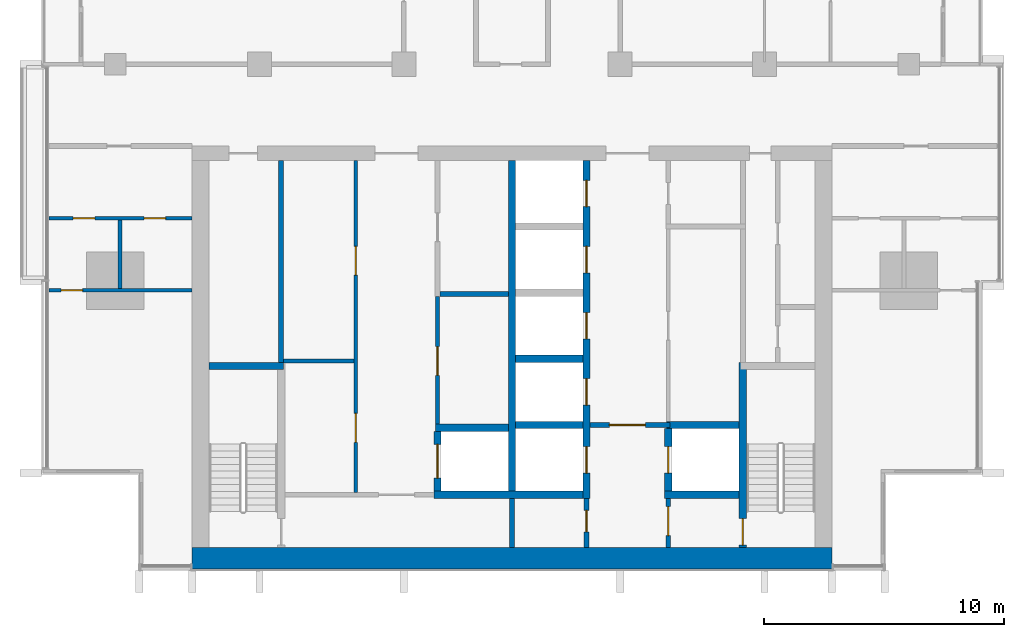
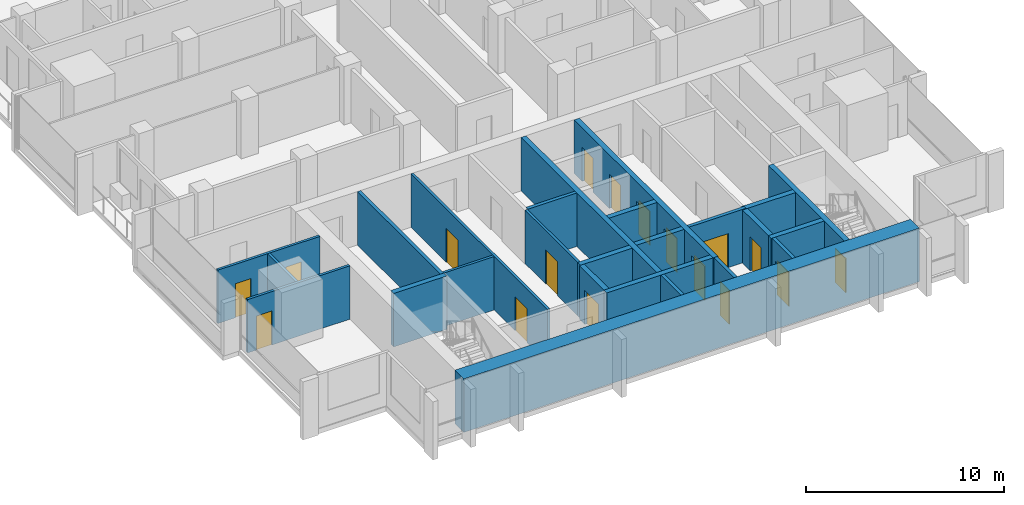
# One storey, part 7 of 17: 25 walls, 17 doors, 17 openings.
"""IFC4 building model written with IfcOpenShell, lengths in metres."""

import ifcopenshell
import ifcopenshell.guid

model = None  # the IFC model being written
_history = None  # IfcOwnerHistory: only IFC2X3 demands one
_inside = {}  # id of a spatial element -> (the spatial element, [elements in it])
_under = {}  # id of a project, library or spatial element -> (it, [spatial elements below it])
_declared = {}  # id of a project -> (the project, [libraries it declares])
_typed = {}  # id of a type object -> (the type object, [elements of that type])
_made_of = {}  # id of a material, layer set ... -> (it, [elements and type objects made of it])


def new_model(schema):
    """Start an empty IFC model of exactly this schema.

    Asked for "IFC4X3", IfcOpenShell would pick the latest addendum, in which some entities
    have other attributes; the version numbers below select the first issue.
    IFC2X3 requires an IfcOwnerHistory on every rooted entity: one is made here for all.
    """
    global model, _history
    if schema == "IFC4X3":
        model = ifcopenshell.file(schema_version=(4, 3, 0, 0))
    else:
        model = ifcopenshell.file(schema=schema)
    _inside.clear()
    _under.clear()
    _declared.clear()
    _typed.clear()
    _made_of.clear()
    _history = None
    if model.schema == "IFC2X3":
        org = make("IfcOrganization", Name="unknown")
        user = make(
            "IfcPersonAndOrganization",
            ThePerson=make("IfcPerson", FamilyName="unknown"),
            TheOrganization=org,
        )
        app = make(
            "IfcApplication",
            ApplicationDeveloper=org,
            Version="unknown",
            ApplicationFullName="unknown",
            ApplicationIdentifier="unknown",
        )
        _history = make(
            "IfcOwnerHistory",
            OwningUser=user,
            OwningApplication=app,
            ChangeAction="ADDED",
            CreationDate=0,
        )
    return model


def make(cls, **values):
    """One entity of the class cls with the attributes given. An attribute that is None is left unset."""
    return model.create_entity(
        cls, **{name: value for name, value in values.items() if value is not None}
    )


def rooted(cls, **values):
    """An entity with a GlobalId (a new one), such as an element, a storey or a relation."""
    return make(cls, GlobalId=ifcopenshell.guid.new(), OwnerHistory=_history, **values)


def si_unit(unit_type, name, prefix=None):
    """IfcSIUnit, for example si_unit("LENGTHUNIT", "METRE", prefix="MILLI")."""
    return make("IfcSIUnit", UnitType=unit_type, Prefix=prefix, Name=name)


def assignment(units):
    """IfcUnitAssignment: the units of a project."""
    return None if units is None else make("IfcUnitAssignment", Units=units)


def point(xyz):
    """IfcCartesianPoint."""
    return None if xyz is None else make("IfcCartesianPoint", Coordinates=xyz)


def direction(xyz):
    """IfcDirection."""
    return None if xyz is None else make("IfcDirection", DirectionRatios=xyz)


def frame(location, z_axis=None, x_axis=None):
    """IfcAxis2Placement3D, a coordinate frame: its origin and axes. An axis left out is left unset."""
    return make(
        "IfcAxis2Placement3D",
        Location=point(location),
        Axis=direction(z_axis),
        RefDirection=direction(x_axis),
    )


def frame_2d(location, x_axis=None):
    """IfcAxis2Placement2D, a coordinate frame in the plane: its origin and x axis."""
    return make(
        "IfcAxis2Placement2D", Location=point(location), RefDirection=direction(x_axis)
    )


def origin():
    """The frame at (0, 0, 0) with its axes left unset."""
    return frame((0.0, 0.0, 0.0))


def place(relative_to, where):
    """IfcLocalPlacement: puts the frame where relative to a parent placement (None: the world)."""
    return make(
        "IfcLocalPlacement", PlacementRelTo=relative_to, RelativePlacement=where
    )


def context(
    kind, dimensions, precision=None, world=None, true_north=None, identifier=None
):
    """IfcGeometricRepresentationContext, for example the 3D "Model" context."""
    return make(
        "IfcGeometricRepresentationContext",
        ContextIdentifier=identifier,
        ContextType=kind,
        CoordinateSpaceDimension=dimensions,
        Precision=precision,
        WorldCoordinateSystem=world,
        TrueNorth=true_north,
    )


def subcontext(parent, identifier, kind, view, scale=None):
    """IfcGeometricRepresentationSubContext, for example "Body" below "Model"."""
    return make(
        "IfcGeometricRepresentationSubContext",
        ContextIdentifier=identifier,
        ContextType=kind,
        ParentContext=parent,
        TargetScale=scale,
        TargetView=view,
    )


def project(units=None, contexts=None):
    """IfcProject with its units and contexts."""
    return rooted(
        "IfcProject",
        Name="project",
        RepresentationContexts=contexts,
        UnitsInContext=assignment(units),
    )


def spatial(cls, under=None, at=None, **own):
    """A site, building, storey or space (cls), placed at a placement, below another one or the project."""
    s = rooted(cls, ObjectPlacement=at, **own)
    if under is not None:
        _under.setdefault(under.id(), (under, []))[1].append(s)
    return s


def profile(cls, at=None, kind="AREA", **sizes):
    """A parametric profile (cls). Its sizes go by their IFC names, for example OverallWidth=200.0."""
    return make(cls, ProfileType=kind, Position=at, **sizes)


def rectangle(**sizes):
    """IfcRectangleProfileDef."""
    return profile("IfcRectangleProfileDef", **sizes)


def extrude(swept, where, along, depth):
    """IfcExtrudedAreaSolid: the profile swept, set in the frame where, extruded along a direction by depth."""
    return make(
        "IfcExtrudedAreaSolid",
        SweptArea=swept,
        Position=where,
        ExtrudedDirection=direction(along),
        Depth=depth,
    )


def shape(context_of_items, identifier, shape_type, items):
    """IfcShapeRepresentation: the items that make up one representation, for example the "Body"."""
    return make(
        "IfcShapeRepresentation",
        ContextOfItems=context_of_items,
        RepresentationIdentifier=identifier,
        RepresentationType=shape_type,
        Items=items,
    )


def material(Name=None, Category=None):
    """IfcMaterial."""
    return make("IfcMaterial", Name=Name, Category=Category)


def layer(
    of_material, thickness, ventilated=None, Name=None, Category=None, Priority=None
):
    """IfcMaterialLayer: one layer of a wall or slab, of a material (None: an air gap)."""
    return make(
        "IfcMaterialLayer",
        Material=of_material,
        LayerThickness=thickness,
        IsVentilated=ventilated,
        Name=Name,
        Category=Category,
        Priority=Priority,
    )


def layer_set(layers, Name=None):
    """IfcMaterialLayerSet."""
    return make("IfcMaterialLayerSet", MaterialLayers=layers, LayerSetName=Name)


def made_of(thing, what):
    """Note that an element or type object is made of a material, layer set ...; save() writes the relation."""
    if what is not None:
        _made_of.setdefault(what.id(), (what, []))[1].append(thing)
    return thing


def type_object(cls, material=None, **own):
    """A type object (cls), such as IfcWallType, which elements share."""
    return made_of(rooted(cls, **own), material)


def element(
    cls,
    number,
    at=None,
    inside=None,
    cuts=None,
    type_object=None,
    material=None,
    context=None,
    identifier="Body",
    shape_type=None,
    held_by="IfcProductDefinitionShape",
    body=None,
    shapes=None,
    **own,
):
    """One element of the class cls, such as IfcWall. Its Tag is "e" and its number.

    at: its placement. inside: the storey or other place that contains it. cuts: it is an
    opening in that element (IfcRelVoidsElement). A single representation is given by context,
    identifier, shape_type and body (its items); several are given by shapes. held_by: the class
    of the entity that holds the representations. save() writes the other relations.
    """
    e = rooted(cls, Tag="e%d" % number, ObjectPlacement=at, **own)
    if body is not None:
        shapes = [shape(context, identifier, shape_type, body)]
    if shapes is not None:
        e.Representation = make(held_by, Representations=shapes)
    if inside is not None:
        _inside.setdefault(inside.id(), (inside, []))[1].append(e)
    if cuts is not None:
        rooted(
            "IfcRelVoidsElement", RelatingBuildingElement=cuts, RelatedOpeningElement=e
        )
    if type_object is not None:
        _typed.setdefault(type_object.id(), (type_object, []))[1].append(e)
    return made_of(e, material)


def fill(opening, filler):
    """IfcRelFillsElement: the door or window that sits in an opening."""
    return rooted(
        "IfcRelFillsElement",
        RelatingOpeningElement=opening,
        RelatedBuildingElement=filler,
    )


def aggregate(whole, parts):
    """IfcRelAggregates: a whole, such as a stair, and the parts it consists of."""
    return rooted("IfcRelAggregates", RelatingObject=whole, RelatedObjects=parts)


def save(model, path):
    """Write the relations noted so far, then the file.

    IfcRelAggregates (storeys below a building ...), IfcRelContainedInSpatialStructure (elements
    in a storey), IfcRelDefinesByType, IfcRelAssociatesMaterial and IfcRelDeclares: one each for
    every whole, place, type object, material and project.
    """
    for whole, parts in _under.values():
        aggregate(whole, parts)
    for where, things in _inside.values():
        rooted(
            "IfcRelContainedInSpatialStructure",
            RelatedElements=things,
            RelatingStructure=where,
        )
    for kind, things in _typed.values():
        rooted("IfcRelDefinesByType", RelatedObjects=things, RelatingType=kind)
    for what, things in _made_of.values():
        rooted("IfcRelAssociatesMaterial", RelatedObjects=things, RelatingMaterial=what)
    for by, libraries in _declared.values():
        rooted("IfcRelDeclares", RelatingContext=by, RelatedDefinitions=libraries)
    model.write(path)


model = new_model("IFC4")

# Units and contexts
model_context = context("Model", 3, precision=1e-05, world=origin(), true_north=direction((0.0, 1.0)))
body_context = subcontext(model_context, "Body", "Model", "MODEL_VIEW")
ifc_project = project(units=[si_unit("LENGTHUNIT", "METRE"), si_unit("AREAUNIT", "SQUARE_METRE"), si_unit("VOLUMEUNIT", "CUBIC_METRE"), si_unit("PLANEANGLEUNIT", "RADIAN"), si_unit("MASSUNIT", "GRAM", prefix="KILO")], contexts=[model_context])

# Site, building, storey
site_placement = place(None, origin())
site = spatial("IfcSite", under=ifc_project, at=site_placement, CompositionType="ELEMENT")
building_placement = place(site_placement, origin())
building = spatial("IfcBuilding", under=site, at=building_placement, Name="Finial Court Residences", CompositionType="ELEMENT")
storey_placement = place(building_placement, frame((0.0, 0.0, 152.89990234375)))
storey = spatial("IfcBuildingStorey", under=building, at=storey_placement, Name="L37", CompositionType="ELEMENT", Elevation=152.89990234375)

# Wall
ifc_material_1 = material(Name="Fire-rated gypsum board partition")
ifc_layer_1 = layer(ifc_material_1, 0.14990234375)
ifc_layer_set_1 = layer_set([ifc_layer_1], Name="Core room partition 150 EI 60")
wall_type_1 = type_object("IfcWallType", Name="Core room partition 150 EI 60", PredefinedType="PARTITIONING", material=ifc_layer_set_1)
wall_1_placement = place(storey_placement, frame((-9.5, -16.840087890625, 0.0), z_axis=(0.0, 0.0, 1.0), x_axis=(1.0, 0.0, 0.0)))
element("IfcWall", 1, at=wall_1_placement, inside=storey, type_object=wall_type_1, Name="Core partition L37-10", PredefinedType="PARTITIONING", context=body_context, shape_type="SweptSolid", body=[
    extrude(rectangle(XDim=2.925048828125, YDim=0.14990234375, at=frame_2d((1.46240234375, 0.0))), origin(), (0.0, 0.0, 1.0), 3.300048828125),
])

# Wall, openings, doors
wall_2_placement = place(storey_placement, frame((-6.5, -22.300048828125, 0.0), z_axis=(0.0, 0.0, 1.0), x_axis=(0.0, 1.0, 0.0)))
wall_2 = element("IfcWall", 2, at=wall_2_placement, inside=storey, type_object=wall_type_1, Name="Core partition L37-19", PredefinedType="PARTITIONING", context=body_context, shape_type="SweptSolid", body=[
    extrude(rectangle(XDim=13.800048828125, YDim=0.14990234375, at=frame_2d((6.89990234375, 0.0))), origin(), (0.0, 0.0, 1.0), 3.300048828125),
])
opening_1_placement = place(wall_2_placement, frame((2.080078125, 0.0, 0.0)))
opening_1 = element("IfcOpeningElement", 3, at=opening_1_placement, cuts=wall_2, Name="Opening L37-C13", PredefinedType="OPENING", context=body_context, shape_type="SweptSolid", body=[
    extrude(rectangle(XDim=1.199951171875, YDim=2.10009765625, at=frame_2d((0.60009765625, 1.050048828125))), frame((0.0, 0.0849609375, 0.0), z_axis=(0.0, -1.0, 0.0), x_axis=(1.0, 0.0, 0.0)), (0.0, 0.0, 1.0), 0.169921875),
])
opening_2_placement = place(wall_2_placement, frame((9.030029296875, 0.0, 0.0)))
opening_2 = element("IfcOpeningElement", 4, at=opening_2_placement, cuts=wall_2, Name="Opening L37-C14", PredefinedType="OPENING", context=body_context, shape_type="SweptSolid", body=[
    extrude(rectangle(XDim=1.199951171875, YDim=2.10009765625, at=frame_2d((0.60009765625, 1.050048828125))), frame((0.0, 0.0849609375, 0.0), z_axis=(0.0, -1.0, 0.0), x_axis=(1.0, 0.0, 0.0)), (0.0, 0.0, 1.0), 0.169921875),
])
ifc_material_2 = material(Name="Steel fire door", Category="steel")
door_type_1 = type_object("IfcDoorType", Name="Core room door 1200 x 2100 EI 60", OperationType="NOTDEFINED", PredefinedType="DOOR", material=ifc_material_2)
door_1_placement = place(opening_1_placement, origin())
door_1 = element("IfcDoor", 5, at=door_1_placement, inside=storey, type_object=door_type_1, Name="Core room door L37-C13", OperationType="SINGLE_SWING_LEFT", OverallHeight=2.10009765625, OverallWidth=1.199951171875, PredefinedType="DOOR", context=body_context, shape_type="SweptSolid", body=[
    extrude(rectangle(XDim=1.199951171875, YDim=2.10009765625, at=frame_2d((0.60009765625, 1.050048828125))), frame((0.0, 0.02490234375, 0.0), z_axis=(0.0, -1.0, 0.0), x_axis=(1.0, 0.0, 0.0)), (0.0, 0.0, 1.0), 0.050048828125),
])
fill(opening_1, door_1)
door_2_placement = place(opening_2_placement, origin())
door_2 = element("IfcDoor", 6, at=door_2_placement, inside=storey, type_object=door_type_1, Name="Core room door L37-C14", OperationType="SINGLE_SWING_LEFT", OverallHeight=2.10009765625, OverallWidth=1.199951171875, PredefinedType="DOOR", context=body_context, shape_type="SweptSolid", body=[
    extrude(rectangle(XDim=1.199951171875, YDim=2.10009765625, at=frame_2d((0.60009765625, 1.050048828125))), frame((0.0, 0.02490234375, 0.0), z_axis=(0.0, -1.0, 0.0), x_axis=(1.0, 0.0, 0.0)), (0.0, 0.0, 1.0), 0.050048828125),
])
fill(opening_2, door_2)

# Wall, opening, door
wall_3_placement = place(storey_placement, frame((-3.10009765625, -14.159912109375, 0.0), z_axis=(0.0, 0.0, 1.0), x_axis=(0.0, -1.0, 0.0)))
wall_3 = element("IfcWall", 7, at=wall_3_placement, inside=storey, type_object=wall_type_1, Name="Core partition L37-21", PredefinedType="PARTITIONING", context=body_context, shape_type="SweptSolid", body=[
    extrude(rectangle(XDim=5.31005859375, YDim=0.14990234375, at=frame_2d((2.655029296875, 0.0))), origin(), (0.0, 0.0, 1.0), 3.300048828125),
])
opening_3_placement = place(wall_3_placement, frame((2.080078125, 0.0, 0.0)))
opening_3 = element("IfcOpeningElement", 8, at=opening_3_placement, cuts=wall_3, Name="Opening L37-C15", PredefinedType="OPENING", context=body_context, shape_type="SweptSolid", body=[
    extrude(rectangle(XDim=1.199951171875, YDim=2.10009765625, at=frame_2d((0.60009765625, 1.050048828125))), frame((0.0, 0.0849609375, 0.0), z_axis=(0.0, -1.0, 0.0), x_axis=(1.0, 0.0, 0.0)), (0.0, 0.0, 1.0), 0.169921875),
])
door_3_placement = place(opening_3_placement, origin())
door_3 = element("IfcDoor", 9, at=door_3_placement, inside=storey, type_object=door_type_1, Name="Core room door L37-C15", OperationType="SINGLE_SWING_LEFT", OverallHeight=2.10009765625, OverallWidth=1.199951171875, PredefinedType="DOOR", context=body_context, shape_type="SweptSolid", body=[
    extrude(rectangle(XDim=1.199951171875, YDim=2.10009765625, at=frame_2d((0.60009765625, 1.050048828125))), frame((0.0, 0.02490234375, 0.0), z_axis=(0.0, -1.0, 0.0), x_axis=(1.0, 0.0, 0.0)), (0.0, 0.0, 1.0), 0.050048828125),
])
fill(opening_3, door_3)

# Wall
ifc_material_3 = material(Name="Concrete C70/85", Category="concrete")
ifc_layer_2 = layer(ifc_material_3, 0.89990234375)
ifc_layer_set_2 = layer_set([ifc_layer_2], Name="Core south facade wall 900 Concrete C70/85")
wall_type_2 = type_object("IfcWallType", Name="Core south facade wall 900 Concrete C70/85", PredefinedType="SHEAR", material=ifc_layer_set_2)
wall_4_placement = place(storey_placement, frame((-13.300048828125, -25.050048828125, 0.0), z_axis=(0.0, 0.0, 1.0), x_axis=(1.0, 0.0, 0.0)))
element("IfcWall", 10, at=wall_4_placement, inside=storey, type_object=wall_type_2, Name="Core outer wall L37-01", PredefinedType="SHEAR", context=body_context, shape_type="SweptSolid", body=[
    extrude(rectangle(XDim=26.60009765625, YDim=0.89990234375, at=frame_2d((13.300048828125, 0.0))), origin(), (0.0, 0.0, 1.0), 3.300048828125),
])

# Wall, opening, door
ifc_layer_3 = layer(ifc_material_1, 0.199951171875)
ifc_layer_set_3 = layer_set([ifc_layer_3], Name="Firefighting lobby wall 200 EI 120")
wall_type_3 = type_object("IfcWallType", Name="Firefighting lobby wall 200 EI 120", PredefinedType="PARTITIONING", material=ifc_layer_set_3)
wall_5_placement = place(storey_placement, frame((6.574951171875, -19.5, 0.0), z_axis=(0.0, 0.0, 1.0), x_axis=(-1.0, 0.0, 0.0)))
wall_5 = element("IfcWall", 11, at=wall_5_placement, inside=storey, type_object=wall_type_3, Name="Core partition L37-06", PredefinedType="PARTITIONING", context=body_context, shape_type="SweptSolid", body=[
    extrude(rectangle(XDim=3.324951171875, YDim=0.199951171875, at=frame_2d((1.66259765625, 0.0))), origin(), (0.0, 0.0, 1.0), 3.300048828125),
])
opening_4_placement = place(wall_5_placement, frame((1.02490234375, 0.0, 0.0)))
opening_4 = element("IfcOpeningElement", 12, at=opening_4_placement, cuts=wall_5, Name="Opening L37-C02", PredefinedType="OPENING", context=body_context, shape_type="SweptSolid", body=[
    extrude(rectangle(XDim=1.5, YDim=2.10009765625, at=frame_2d((0.75, 1.050048828125))), frame((0.0, 0.10986328125, 0.0), z_axis=(0.0, -1.0, 0.0), x_axis=(1.0, 0.0, 0.0)), (0.0, 0.0, 1.0), 0.219970703125),
])
door_type_2 = type_object("IfcDoorType", Name="Firefighting lobby door 1500 x 2100 EI 90", OperationType="DOUBLE_DOOR_SINGLE_SWING", PredefinedType="DOOR", material=ifc_material_2)
door_4_placement = place(opening_4_placement, origin())
door_4 = element("IfcDoor", 13, at=door_4_placement, inside=storey, type_object=door_type_2, Name="Firefighting lobby door L37-C02", OperationType="DOUBLE_DOOR_SINGLE_SWING", OverallHeight=2.10009765625, OverallWidth=1.5, PredefinedType="DOOR", context=body_context, shape_type="SweptSolid", body=[
    extrude(rectangle(XDim=1.5, YDim=2.10009765625, at=frame_2d((0.75, 1.050048828125))), frame((0.0, 0.02490234375, 0.0), z_axis=(0.0, -1.0, 0.0), x_axis=(1.0, 0.0, 0.0)), (0.0, 0.0, 1.0), 0.050048828125),
])
fill(opening_4, door_4)

wall_6_placement = place(storey_placement, frame((3.10009765625, -24.60009765625, 0.0), z_axis=(0.0, 0.0, 1.0), x_axis=(0.0, 1.0, 0.0)))
wall_6 = element("IfcWall", 14, at=wall_6_placement, inside=storey, type_object=wall_type_3, Name="Core partition L37-25", PredefinedType="PARTITIONING", context=body_context, shape_type="SweptSolid", body=[
    extrude(rectangle(XDim=2.050048828125, YDim=0.199951171875, at=frame_2d((1.02490234375, 0.0))), origin(), (0.0, 0.0, 1.0), 3.300048828125),
])
opening_5_placement = place(wall_6_placement, frame((0.64990234375, 0.0, 0.0)))
opening_5 = element("IfcOpeningElement", 15, at=opening_5_placement, cuts=wall_6, Name="Opening L37-C06", PredefinedType="OPENING", context=body_context, shape_type="SweptSolid", body=[
    extrude(rectangle(XDim=0.89990234375, YDim=2.10009765625, at=frame_2d((0.449951171875, 1.050048828125))), frame((0.0, 0.10986328125, 0.0), z_axis=(0.0, -1.0, 0.0), x_axis=(1.0, 0.0, 0.0)), (0.0, 0.0, 1.0), 0.219970703125),
])
door_type_3 = type_object("IfcDoorType", Name="Riser room door 900 x 2100 EI 90", OperationType="NOTDEFINED", PredefinedType="DOOR", material=ifc_material_2)
door_5_placement = place(opening_5_placement, origin())
door_5 = element("IfcDoor", 16, at=door_5_placement, inside=storey, type_object=door_type_3, Name="Riser room door L37-C06", OperationType="SINGLE_SWING_LEFT", OverallHeight=2.10009765625, OverallWidth=0.89990234375, PredefinedType="DOOR", context=body_context, shape_type="SweptSolid", body=[
    extrude(rectangle(XDim=0.89990234375, YDim=2.10009765625, at=frame_2d((0.449951171875, 1.050048828125))), frame((0.0, 0.02490234375, 0.0), z_axis=(0.0, -1.0, 0.0), x_axis=(1.0, 0.0, 0.0)), (0.0, 0.0, 1.0), 0.050048828125),
])
fill(opening_5, door_5)

wall_7_placement = place(storey_placement, frame((6.5, -22.550048828125, 0.0), z_axis=(0.0, 0.0, 1.0), x_axis=(0.0, -1.0, 0.0)))
wall_7 = element("IfcWall", 17, at=wall_7_placement, inside=storey, type_object=wall_type_3, Name="Core partition L37-27", PredefinedType="PARTITIONING", context=body_context, shape_type="SweptSolid", body=[
    extrude(rectangle(XDim=2.050048828125, YDim=0.199951171875, at=frame_2d((1.02490234375, 0.0))), origin(), (0.0, 0.0, 1.0), 3.300048828125),
])
opening_6_placement = place(wall_7_placement, frame((0.35009765625, 0.0, 0.0)))
opening_6 = element("IfcOpeningElement", 18, at=opening_6_placement, cuts=wall_7, Name="Opening L37-C01", PredefinedType="OPENING", context=body_context, shape_type="SweptSolid", body=[
    extrude(rectangle(XDim=1.199951171875, YDim=2.10009765625, at=frame_2d((0.60009765625, 1.050048828125))), frame((0.0, 0.10986328125, 0.0), z_axis=(0.0, -1.0, 0.0), x_axis=(1.0, 0.0, 0.0)), (0.0, 0.0, 1.0), 0.219970703125),
])
door_type_4 = type_object("IfcDoorType", Name="Firefighting lobby door 1200 x 2100 EI 90", OperationType="NOTDEFINED", PredefinedType="DOOR", material=ifc_material_2)
door_6_placement = place(opening_6_placement, origin())
door_6 = element("IfcDoor", 19, at=door_6_placement, inside=storey, type_object=door_type_4, Name="Firefighting lobby door L37-C01", OperationType="SINGLE_SWING_RIGHT", OverallHeight=2.10009765625, OverallWidth=1.199951171875, PredefinedType="DOOR", context=body_context, shape_type="SweptSolid", body=[
    extrude(rectangle(XDim=1.199951171875, YDim=2.10009765625, at=frame_2d((0.60009765625, 1.050048828125))), frame((0.0, 0.02490234375, 0.0), z_axis=(0.0, -1.0, 0.0), x_axis=(1.0, 0.0, 0.0)), (0.0, 0.0, 1.0), 0.050048828125),
])
fill(opening_6, door_6)

ifc_material_4 = material(Name="Moisture-resistant gypsum board")
ifc_layer_4 = layer(ifc_material_4, 0.012451171875)
ifc_material_5 = material(Name="Mineral wool in light-gauge frame")
ifc_layer_5 = layer(ifc_material_5, 0.125)
ifc_layer_6 = layer(ifc_material_4, 0.012451171875)
ifc_layer_set_4 = layer_set([ifc_layer_4, ifc_layer_5, ifc_layer_6], Name="Gypsum board wet-area partition 150")
wall_type_4 = type_object("IfcWallType", Name="Gypsum board wet-area partition 150", PredefinedType="PARTITIONING", material=ifc_layer_set_4)
wall_8_placement = place(storey_placement, frame((-19.262451171875, -13.89990234375, 0.0), z_axis=(0.0, 0.0, 1.0), x_axis=(1.0, 0.0, 0.0)))
wall_8 = element("IfcWall", 20, at=wall_8_placement, inside=storey, type_object=wall_type_4, Name="Partition L37-000", PredefinedType="PARTITIONING", context=body_context, shape_type="SweptSolid", body=[
    extrude(rectangle(XDim=5.96240234375, YDim=0.14990234375, at=frame_2d((2.981201171875, 0.0))), origin(), (0.0, 0.0, 1.0), 3.300048828125),
])
opening_7_placement = place(wall_8_placement, frame((0.511962890625, 0.0, 0.0)))
opening_7 = element("IfcOpeningElement", 21, at=opening_7_placement, cuts=wall_8, Name="Opening L37-D001", PredefinedType="OPENING", context=body_context, shape_type="SweptSolid", body=[
    extrude(rectangle(XDim=0.89990234375, YDim=2.10009765625, at=frame_2d((0.449951171875, 1.050048828125))), frame((0.0, 0.0849609375, 0.0), z_axis=(0.0, -1.0, 0.0), x_axis=(1.0, 0.0, 0.0)), (0.0, 0.0, 1.0), 0.169921875),
])
ifc_material_6 = material(Name="Timber door leaf in timber frame", Category="wood")
door_type_5 = type_object("IfcDoorType", Name="Door set 900 x 2100", OperationType="SINGLE_SWING_LEFT", PredefinedType="DOOR", material=ifc_material_6)
door_7_placement = place(opening_7_placement, origin())
door_7 = element("IfcDoor", 22, at=door_7_placement, inside=storey, type_object=door_type_5, Name="Door L37-D001", OperationType="SINGLE_SWING_LEFT", OverallHeight=2.10009765625, OverallWidth=0.89990234375, PredefinedType="DOOR", context=body_context, shape_type="SweptSolid", body=[
    extrude(rectangle(XDim=0.89990234375, YDim=2.10009765625, at=frame_2d((0.449951171875, 1.050048828125))), frame((0.0, 0.02490234375, 0.0), z_axis=(0.0, -1.0, 0.0), x_axis=(1.0, 0.0, 0.0)), (0.0, 0.0, 1.0), 0.050048828125),
])
fill(opening_7, door_7)

# Wall, openings, doors
wall_9_placement = place(storey_placement, frame((-19.262451171875, -10.89990234375, 0.0), z_axis=(0.0, 0.0, 1.0), x_axis=(1.0, 0.0, 0.0)))
wall_9 = element("IfcWall", 23, at=wall_9_placement, inside=storey, type_object=wall_type_4, Name="Partition L37-002", PredefinedType="PARTITIONING", context=body_context, shape_type="SweptSolid", body=[
    extrude(rectangle(XDim=5.96240234375, YDim=0.14990234375, at=frame_2d((2.981201171875, 0.0))), origin(), (0.0, 0.0, 1.0), 3.300048828125),
])
opening_8_placement = place(wall_9_placement, frame((1.011962890625, 0.0, 0.0)))
opening_8 = element("IfcOpeningElement", 24, at=opening_8_placement, cuts=wall_9, Name="Opening L37-D003", PredefinedType="OPENING", context=body_context, shape_type="SweptSolid", body=[
    extrude(rectangle(XDim=0.89990234375, YDim=2.10009765625, at=frame_2d((0.449951171875, 1.050048828125))), frame((0.0, 0.0849609375, 0.0), z_axis=(0.0, -1.0, 0.0), x_axis=(1.0, 0.0, 0.0)), (0.0, 0.0, 1.0), 0.169921875),
])
opening_9_placement = place(wall_9_placement, frame((3.962890625, 0.0, 0.0)))
opening_9 = element("IfcOpeningElement", 25, at=opening_9_placement, cuts=wall_9, Name="Opening L37-D004", PredefinedType="OPENING", context=body_context, shape_type="SweptSolid", body=[
    extrude(rectangle(XDim=0.89990234375, YDim=2.10009765625, at=frame_2d((0.449951171875, 1.050048828125))), frame((0.0, 0.0849609375, 0.0), z_axis=(0.0, -1.0, 0.0), x_axis=(1.0, 0.0, 0.0)), (0.0, 0.0, 1.0), 0.169921875),
])
door_8_placement = place(opening_8_placement, origin())
door_8 = element("IfcDoor", 26, at=door_8_placement, inside=storey, type_object=door_type_5, Name="Door L37-D003", OperationType="SINGLE_SWING_LEFT", OverallHeight=2.10009765625, OverallWidth=0.89990234375, PredefinedType="DOOR", context=body_context, shape_type="SweptSolid", body=[
    extrude(rectangle(XDim=0.89990234375, YDim=2.10009765625, at=frame_2d((0.449951171875, 1.050048828125))), frame((0.0, 0.02490234375, 0.0), z_axis=(0.0, -1.0, 0.0), x_axis=(1.0, 0.0, 0.0)), (0.0, 0.0, 1.0), 0.050048828125),
])
fill(opening_8, door_8)
door_9_placement = place(opening_9_placement, origin())
door_9 = element("IfcDoor", 27, at=door_9_placement, inside=storey, type_object=door_type_5, Name="Door L37-D004", OperationType="SINGLE_SWING_RIGHT", OverallHeight=2.10009765625, OverallWidth=0.89990234375, PredefinedType="DOOR", context=body_context, shape_type="SweptSolid", body=[
    extrude(rectangle(XDim=0.89990234375, YDim=2.10009765625, at=frame_2d((0.449951171875, 1.050048828125))), frame((0.0, 0.02490234375, 0.0), z_axis=(0.0, -1.0, 0.0), x_axis=(1.0, 0.0, 0.0)), (0.0, 0.0, 1.0), 0.050048828125),
])
fill(opening_9, door_9)

# Walls
wall_10_placement = place(storey_placement, frame((-16.300048828125, -13.824951171875, 0.0), z_axis=(0.0, 0.0, 1.0), x_axis=(0.0, 1.0, 0.0)))
element("IfcWall", 28, at=wall_10_placement, inside=storey, type_object=wall_type_4, Name="Partition L37-034", PredefinedType="PARTITIONING", context=body_context, shape_type="SweptSolid", body=[
    extrude(rectangle(XDim=2.849853515625, YDim=0.14990234375, at=frame_2d((1.4248046875, 0.0))), origin(), (0.0, 0.0, 1.0), 3.300048828125),
])
ifc_layer_7 = layer(ifc_material_3, 0.300048828125)
ifc_layer_set_5 = layer_set([ifc_layer_7], Name="Lift shaft and stair wall 300 Concrete C70/85")
wall_type_5 = type_object("IfcWallType", Name="Lift shaft and stair wall 300 Concrete C70/85", PredefinedType="SHEAR", material=ifc_layer_set_5)
wall_11_placement = place(storey_placement, frame((-3.25, -22.39990234375, 0.0), z_axis=(0.0, 0.0, 1.0), x_axis=(1.0, 0.0, 0.0)))
element("IfcWall", 29, at=wall_11_placement, inside=storey, type_object=wall_type_5, Name="Core wall L37-02", PredefinedType="SHEAR", context=body_context, shape_type="SweptSolid", body=[
    extrude(rectangle(XDim=6.199951171875, YDim=0.300048828125, at=frame_2d((3.10009765625, 0.0))), origin(), (0.0, 0.0, 1.0), 3.300048828125),
])
wall_12_placement = place(storey_placement, frame((6.35009765625, -22.39990234375, 0.0), z_axis=(0.0, 0.0, 1.0), x_axis=(1.0, 0.0, 0.0)))
element("IfcWall", 30, at=wall_12_placement, inside=storey, type_object=wall_type_5, Name="Core wall L37-03", PredefinedType="SHEAR", context=body_context, shape_type="SweptSolid", body=[
    extrude(rectangle(XDim=3.099853515625, YDim=0.300048828125, at=frame_2d((1.5498046875, 0.0))), origin(), (0.0, 0.0, 1.0), 3.300048828125),
])
wall_13_placement = place(storey_placement, frame((-3.175048828125, -19.6201171875, 0.0), z_axis=(0.0, 0.0, 1.0), x_axis=(1.0, 0.0, 0.0)))
element("IfcWall", 31, at=wall_13_placement, inside=storey, type_object=wall_type_5, Name="Core wall L37-04", PredefinedType="SHEAR", context=body_context, shape_type="SweptSolid", body=[
    extrude(rectangle(XDim=3.025146484375, YDim=0.300048828125, at=frame_2d((1.5126953125, 0.0))), origin(), (0.0, 0.0, 1.0), 3.300048828125),
])
wall_14_placement = place(storey_placement, frame((0.14990234375, -19.5, 0.0), z_axis=(0.0, 0.0, 1.0), x_axis=(1.0, 0.0, 0.0)))
element("IfcWall", 32, at=wall_14_placement, inside=storey, type_object=wall_type_5, Name="Core wall L37-05", PredefinedType="SHEAR", context=body_context, shape_type="SweptSolid", body=[
    extrude(rectangle(XDim=2.800048828125, YDim=0.300048828125, at=frame_2d((1.39990234375, 0.0))), origin(), (0.0, 0.0, 1.0), 3.300048828125),
])
wall_15_placement = place(storey_placement, frame((6.425048828125, -19.5, 0.0), z_axis=(0.0, 0.0, 1.0), x_axis=(1.0, 0.0, 0.0)))
element("IfcWall", 33, at=wall_15_placement, inside=storey, type_object=wall_type_5, Name="Core wall L37-07", PredefinedType="SHEAR", context=body_context, shape_type="SweptSolid", body=[
    extrude(rectangle(XDim=3.02490234375, YDim=0.300048828125, at=frame_2d((1.512451171875, 0.0))), origin(), (0.0, 0.0, 1.0), 3.300048828125),
])
wall_16_placement = place(storey_placement, frame((-12.60009765625, -17.050048828125, 0.0), z_axis=(0.0, 0.0, 1.0), x_axis=(1.0, 0.0, 0.0)))
element("IfcWall", 34, at=wall_16_placement, inside=storey, type_object=wall_type_5, Name="Core wall L37-08", PredefinedType="SHEAR", context=body_context, shape_type="SweptSolid", body=[
    extrude(rectangle(XDim=3.10009765625, YDim=0.300048828125, at=frame_2d((1.550048828125, 0.0))), origin(), (0.0, 0.0, 1.0), 3.300048828125),
])
wall_17_placement = place(storey_placement, frame((0.14990234375, -16.75, 0.0), z_axis=(0.0, 0.0, 1.0), x_axis=(1.0, 0.0, 0.0)))
element("IfcWall", 35, at=wall_17_placement, inside=storey, type_object=wall_type_5, Name="Core wall L37-11", PredefinedType="SHEAR", context=body_context, shape_type="SweptSolid", body=[
    extrude(rectangle(XDim=2.800048828125, YDim=0.300048828125, at=frame_2d((1.39990234375, 0.0))), origin(), (0.0, 0.0, 1.0), 3.300048828125),
])

# Wall, opening, door
wall_18_placement = place(storey_placement, frame((-3.10009765625, -22.25, 0.0), z_axis=(0.0, 0.0, 1.0), x_axis=(0.0, 1.0, 0.0)))
wall_18 = element("IfcWall", 36, at=wall_18_placement, inside=storey, type_object=wall_type_5, Name="Core wall L37-20", PredefinedType="SHEAR", context=body_context, shape_type="SweptSolid", body=[
    extrude(rectangle(XDim=2.47998046875, YDim=0.300048828125, at=frame_2d((1.239990234375, 0.0))), origin(), (0.0, 0.0, 1.0), 3.300048828125),
])
opening_10_placement = place(wall_18_placement, frame((0.5400390625, 0.0, 0.0)))
opening_10 = element("IfcOpeningElement", 37, at=opening_10_placement, cuts=wall_18, Name="Opening L37-LD07", PredefinedType="OPENING", context=body_context, shape_type="SweptSolid", body=[
    extrude(rectangle(XDim=1.39990234375, YDim=2.10009765625, at=frame_2d((0.699951171875, 1.050048828125))), frame((0.0, 0.159912109375, 0.0), z_axis=(0.0, -1.0, 0.0), x_axis=(1.0, 0.0, 0.0)), (0.0, 0.0, 1.0), 0.320068359375),
])
ifc_material_7 = material(Name="Stainless steel lift door", Category="steel")
door_type_6 = type_object("IfcDoorType", Name="Lift landing door 1400 x 2100 EI 90", OperationType="DOUBLE_DOOR_SLIDING", PredefinedType="DOOR", material=ifc_material_7)
door_10_placement = place(opening_10_placement, origin())
door_10 = element("IfcDoor", 38, at=door_10_placement, inside=storey, type_object=door_type_6, Name="Lift landing door SV1 L37", OperationType="DOUBLE_DOOR_SLIDING", OverallHeight=2.10009765625, OverallWidth=1.39990234375, PredefinedType="DOOR", context=body_context, shape_type="SweptSolid", body=[
    extrude(rectangle(XDim=1.39990234375, YDim=2.10009765625, at=frame_2d((0.699951171875, 1.050048828125))), frame((0.0, 0.02490234375, 0.0), z_axis=(0.0, -1.0, 0.0), x_axis=(1.0, 0.0, 0.0)), (0.0, 0.0, 1.0), 0.050048828125),
])
fill(opening_10, door_10)

# Wall
wall_19_placement = place(storey_placement, frame((0.0, -22.25, 0.0), z_axis=(0.0, 0.0, 1.0), x_axis=(0.0, 1.0, 0.0)))
element("IfcWall", 39, at=wall_19_placement, inside=storey, type_object=wall_type_5, Name="Core wall L37-24", PredefinedType="SHEAR", context=body_context, shape_type="SweptSolid", body=[
    extrude(rectangle(XDim=13.75, YDim=0.300048828125, at=frame_2d((6.875, 0.0))), origin(), (0.0, 0.0, 1.0), 3.300048828125),
])

# Wall, openings, doors
wall_20_placement = place(storey_placement, frame((3.10009765625, -22.550048828125, 0.0), z_axis=(0.0, 0.0, 1.0), x_axis=(0.0, 1.0, 0.0)))
wall_20 = element("IfcWall", 40, at=wall_20_placement, inside=storey, type_object=wall_type_5, Name="Core wall L37-26", PredefinedType="SHEAR", context=body_context, shape_type="SweptSolid", body=[
    extrude(rectangle(XDim=14.050048828125, YDim=0.300048828125, at=frame_2d((7.02490234375, 0.0))), origin(), (0.0, 0.0, 1.0), 3.300048828125),
])
opening_11_placement = place(wall_20_placement, frame((1.050048828125, 0.0, 0.0)))
opening_11 = element("IfcOpeningElement", 41, at=opening_11_placement, cuts=wall_20, Name="Opening L37-LD01", PredefinedType="OPENING", context=body_context, shape_type="SweptSolid", body=[
    extrude(rectangle(XDim=1.10009765625, YDim=2.10009765625, at=frame_2d((0.550048828125, 1.050048828125))), frame((0.0, 0.159912109375, 0.0), z_axis=(0.0, -1.0, 0.0), x_axis=(1.0, 0.0, 0.0)), (0.0, 0.0, 1.0), 0.320068359375),
])
opening_12_placement = place(wall_20_placement, frame((3.875, 0.0, 0.0)))
opening_12 = element("IfcOpeningElement", 42, at=opening_12_placement, cuts=wall_20, Name="Opening L37-LD03", PredefinedType="OPENING", context=body_context, shape_type="SweptSolid", body=[
    extrude(rectangle(XDim=1.10009765625, YDim=2.10009765625, at=frame_2d((0.550048828125, 1.050048828125))), frame((0.0, 0.159912109375, 0.0), z_axis=(0.0, -1.0, 0.0), x_axis=(1.0, 0.0, 0.0)), (0.0, 0.0, 1.0), 0.320068359375),
])
opening_13_placement = place(wall_20_placement, frame((6.625, 0.0, 0.0)))
opening_13 = element("IfcOpeningElement", 43, at=opening_13_placement, cuts=wall_20, Name="Opening L37-LD04", PredefinedType="OPENING", context=body_context, shape_type="SweptSolid", body=[
    extrude(rectangle(XDim=1.10009765625, YDim=2.10009765625, at=frame_2d((0.550048828125, 1.050048828125))), frame((0.0, 0.159912109375, 0.0), z_axis=(0.0, -1.0, 0.0), x_axis=(1.0, 0.0, 0.0)), (0.0, 0.0, 1.0), 0.320068359375),
])
opening_14_placement = place(wall_20_placement, frame((9.375, 0.0, 0.0)))
opening_14 = element("IfcOpeningElement", 44, at=opening_14_placement, cuts=wall_20, Name="Opening L37-LD05", PredefinedType="OPENING", context=body_context, shape_type="SweptSolid", body=[
    extrude(rectangle(XDim=1.10009765625, YDim=2.10009765625, at=frame_2d((0.550048828125, 1.050048828125))), frame((0.0, 0.159912109375, 0.0), z_axis=(0.0, -1.0, 0.0), x_axis=(1.0, 0.0, 0.0)), (0.0, 0.0, 1.0), 0.320068359375),
])
opening_15_placement = place(wall_20_placement, frame((12.125, 0.0, 0.0)))
opening_15 = element("IfcOpeningElement", 45, at=opening_15_placement, cuts=wall_20, Name="Opening L37-LD06", PredefinedType="OPENING", context=body_context, shape_type="SweptSolid", body=[
    extrude(rectangle(XDim=1.10009765625, YDim=2.10009765625, at=frame_2d((0.550048828125, 1.050048828125))), frame((0.0, 0.159912109375, 0.0), z_axis=(0.0, -1.0, 0.0), x_axis=(1.0, 0.0, 0.0)), (0.0, 0.0, 1.0), 0.320068359375),
])
door_type_7 = type_object("IfcDoorType", Name="Lift landing door 1100 x 2100 EI 90", OperationType="DOUBLE_DOOR_SLIDING", PredefinedType="DOOR", material=ifc_material_7)
door_11_placement = place(opening_11_placement, origin())
door_11 = element("IfcDoor", 46, at=door_11_placement, inside=storey, type_object=door_type_7, Name="Lift landing door FF1 L37", OperationType="DOUBLE_DOOR_SLIDING", OverallHeight=2.10009765625, OverallWidth=1.10009765625, PredefinedType="DOOR", context=body_context, shape_type="SweptSolid", body=[
    extrude(rectangle(XDim=1.10009765625, YDim=2.10009765625, at=frame_2d((0.550048828125, 1.050048828125))), frame((0.0, 0.02490234375, 0.0), z_axis=(0.0, -1.0, 0.0), x_axis=(1.0, 0.0, 0.0)), (0.0, 0.0, 1.0), 0.050048828125),
])
fill(opening_11, door_11)
door_12_placement = place(opening_12_placement, origin())
door_12 = element("IfcDoor", 47, at=door_12_placement, inside=storey, type_object=door_type_7, Name="Lift landing door HR1 L37", OperationType="DOUBLE_DOOR_SLIDING", OverallHeight=2.10009765625, OverallWidth=1.10009765625, PredefinedType="DOOR", context=body_context, shape_type="SweptSolid", body=[
    extrude(rectangle(XDim=1.10009765625, YDim=2.10009765625, at=frame_2d((0.550048828125, 1.050048828125))), frame((0.0, 0.02490234375, 0.0), z_axis=(0.0, -1.0, 0.0), x_axis=(1.0, 0.0, 0.0)), (0.0, 0.0, 1.0), 0.050048828125),
])
fill(opening_12, door_12)
door_13_placement = place(opening_13_placement, origin())
door_13 = element("IfcDoor", 48, at=door_13_placement, inside=storey, type_object=door_type_7, Name="Lift landing door HR2 L37", OperationType="DOUBLE_DOOR_SLIDING", OverallHeight=2.10009765625, OverallWidth=1.10009765625, PredefinedType="DOOR", context=body_context, shape_type="SweptSolid", body=[
    extrude(rectangle(XDim=1.10009765625, YDim=2.10009765625, at=frame_2d((0.550048828125, 1.050048828125))), frame((0.0, 0.02490234375, 0.0), z_axis=(0.0, -1.0, 0.0), x_axis=(1.0, 0.0, 0.0)), (0.0, 0.0, 1.0), 0.050048828125),
])
fill(opening_13, door_13)
door_14_placement = place(opening_14_placement, origin())
door_14 = element("IfcDoor", 49, at=door_14_placement, inside=storey, type_object=door_type_7, Name="Lift landing door HR3 L37", OperationType="DOUBLE_DOOR_SLIDING", OverallHeight=2.10009765625, OverallWidth=1.10009765625, PredefinedType="DOOR", context=body_context, shape_type="SweptSolid", body=[
    extrude(rectangle(XDim=1.10009765625, YDim=2.10009765625, at=frame_2d((0.550048828125, 1.050048828125))), frame((0.0, 0.02490234375, 0.0), z_axis=(0.0, -1.0, 0.0), x_axis=(1.0, 0.0, 0.0)), (0.0, 0.0, 1.0), 0.050048828125),
])
fill(opening_14, door_14)
door_15_placement = place(opening_15_placement, origin())
door_15 = element("IfcDoor", 50, at=door_15_placement, inside=storey, type_object=door_type_7, Name="Lift landing door HR4 L37", OperationType="DOUBLE_DOOR_SLIDING", OverallHeight=2.10009765625, OverallWidth=1.10009765625, PredefinedType="DOOR", context=body_context, shape_type="SweptSolid", body=[
    extrude(rectangle(XDim=1.10009765625, YDim=2.10009765625, at=frame_2d((0.550048828125, 1.050048828125))), frame((0.0, 0.02490234375, 0.0), z_axis=(0.0, -1.0, 0.0), x_axis=(1.0, 0.0, 0.0)), (0.0, 0.0, 1.0), 0.050048828125),
])
fill(opening_15, door_15)

# Wall, opening, door
wall_21_placement = place(storey_placement, frame((6.5, -22.25, 0.0), z_axis=(0.0, 0.0, 1.0), x_axis=(0.0, 1.0, 0.0)))
wall_21 = element("IfcWall", 51, at=wall_21_placement, inside=storey, type_object=wall_type_5, Name="Core wall L37-28", PredefinedType="SHEAR", context=body_context, shape_type="SweptSolid", body=[
    extrude(rectangle(XDim=2.60009765625, YDim=0.300048828125, at=frame_2d((1.300048828125, 0.0))), origin(), (0.0, 0.0, 1.0), 3.300048828125),
])
opening_16_placement = place(wall_21_placement, frame((0.75, 0.0, 0.0)))
opening_16 = element("IfcOpeningElement", 52, at=opening_16_placement, cuts=wall_21, Name="Opening L37-LD02", PredefinedType="OPENING", context=body_context, shape_type="SweptSolid", body=[
    extrude(rectangle(XDim=1.10009765625, YDim=2.10009765625, at=frame_2d((0.550048828125, 1.050048828125))), frame((0.0, 0.159912109375, 0.0), z_axis=(0.0, -1.0, 0.0), x_axis=(1.0, 0.0, 0.0)), (0.0, 0.0, 1.0), 0.320068359375),
])
door_16_placement = place(opening_16_placement, origin())
door_16 = element("IfcDoor", 53, at=door_16_placement, inside=storey, type_object=door_type_7, Name="Lift landing door FF2 L37", OperationType="DOUBLE_DOOR_SLIDING", OverallHeight=2.10009765625, OverallWidth=1.10009765625, PredefinedType="DOOR", context=body_context, shape_type="SweptSolid", body=[
    extrude(rectangle(XDim=1.10009765625, YDim=2.10009765625, at=frame_2d((0.550048828125, 1.050048828125))), frame((0.0, 0.02490234375, 0.0), z_axis=(0.0, -1.0, 0.0), x_axis=(1.0, 0.0, 0.0)), (0.0, 0.0, 1.0), 0.050048828125),
])
fill(opening_16, door_16)

wall_22_placement = place(storey_placement, frame((9.60009765625, -16.89990234375, 0.0), z_axis=(0.0, 0.0, 1.0), x_axis=(0.0, -1.0, 0.0)))
wall_22 = element("IfcWall", 54, at=wall_22_placement, inside=storey, type_object=wall_type_5, Name="Core wall L37-31", PredefinedType="SHEAR", context=body_context, shape_type="SweptSolid", body=[
    extrude(rectangle(XDim=7.7001953125, YDim=0.300048828125, at=frame_2d((3.85009765625, 0.0))), origin(), (0.0, 0.0, 1.0), 3.300048828125),
])
opening_17_placement = place(wall_22_placement, frame((6.5, 0.0, 0.0)))
opening_17 = element("IfcOpeningElement", 55, at=opening_17_placement, cuts=wall_22, Name="Opening L37-C18", PredefinedType="OPENING", context=body_context, shape_type="SweptSolid", body=[
    extrude(rectangle(XDim=1.10009765625, YDim=2.10009765625, at=frame_2d((0.550048828125, 1.050048828125))), frame((0.0, 0.159912109375, 0.0), z_axis=(0.0, -1.0, 0.0), x_axis=(1.0, 0.0, 0.0)), (0.0, 0.0, 1.0), 0.320068359375),
])
door_type_8 = type_object("IfcDoorType", Name="Stair door 1100 x 2100 EI 90", OperationType="NOTDEFINED", PredefinedType="DOOR", material=ifc_material_2)
door_17_placement = place(opening_17_placement, origin())
door_17 = element("IfcDoor", 56, at=door_17_placement, inside=storey, type_object=door_type_8, Name="Stair door L37-C18", OperationType="SINGLE_SWING_RIGHT", OverallHeight=2.10009765625, OverallWidth=1.10009765625, PredefinedType="DOOR", context=body_context, shape_type="SweptSolid", body=[
    extrude(rectangle(XDim=1.10009765625, YDim=2.10009765625, at=frame_2d((0.550048828125, 1.050048828125))), frame((0.0, 0.02490234375, 0.0), z_axis=(0.0, -1.0, 0.0), x_axis=(1.0, 0.0, 0.0)), (0.0, 0.0, 1.0), 0.050048828125),
])
fill(opening_17, door_17)

# Walls
ifc_layer_8 = layer(ifc_material_1, 0.199951171875)
ifc_layer_set_6 = layer_set([ifc_layer_8], Name="Riser room wall 200 EI 120")
wall_type_6 = type_object("IfcWallType", Name="Riser room wall 200 EI 120", PredefinedType="PARTITIONING", material=ifc_layer_set_6)
wall_23_placement = place(storey_placement, frame((-3.0, -14.06005859375, 0.0), z_axis=(0.0, 0.0, 1.0), x_axis=(1.0, 0.0, 0.0)))
element("IfcWall", 57, at=wall_23_placement, inside=storey, type_object=wall_type_6, Name="Core partition L37-13", PredefinedType="PARTITIONING", context=body_context, shape_type="SweptSolid", body=[
    extrude(rectangle(XDim=2.85009765625, YDim=0.199951171875, at=frame_2d((1.425048828125, 0.0))), origin(), (0.0, 0.0, 1.0), 3.300048828125),
])
wall_24_placement = place(storey_placement, frame((-9.60009765625, -16.89990234375, 0.0), z_axis=(0.0, 0.0, 1.0), x_axis=(0.0, 1.0, 0.0)))
element("IfcWall", 58, at=wall_24_placement, inside=storey, type_object=wall_type_6, Name="Core partition L37-18", PredefinedType="PARTITIONING", context=body_context, shape_type="SweptSolid", body=[
    extrude(rectangle(XDim=8.39990234375, YDim=0.199951171875, at=frame_2d((4.199951171875, 0.0))), origin(), (0.0, 0.0, 1.0), 3.300048828125),
])
wall_25_placement = place(storey_placement, frame((0.0, -24.60009765625, 0.0), z_axis=(0.0, 0.0, 1.0), x_axis=(0.0, 1.0, 0.0)))
element("IfcWall", 59, at=wall_25_placement, inside=storey, type_object=wall_type_6, Name="Core partition L37-23", PredefinedType="PARTITIONING", context=body_context, shape_type="SweptSolid", body=[
    extrude(rectangle(XDim=2.050048828125, YDim=0.199951171875, at=frame_2d((1.02490234375, 0.0))), origin(), (0.0, 0.0, 1.0), 3.300048828125),
])

save(model, "model.ifc")
